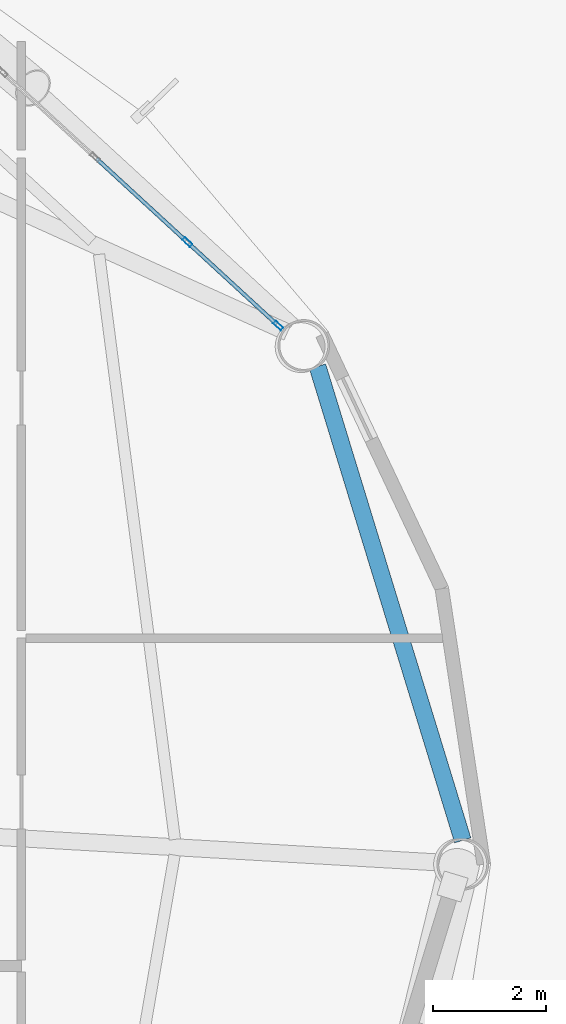
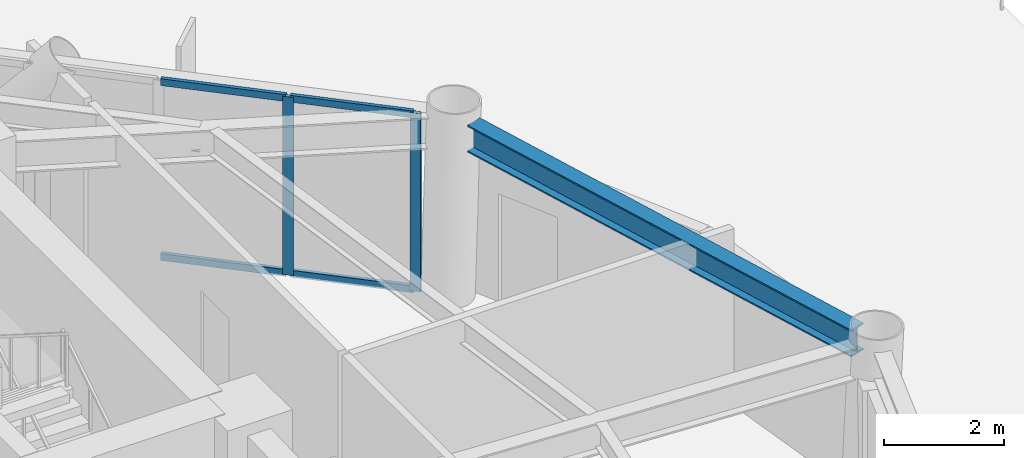
# One storey, part 14 of 24: 6 members, 1 beam, 1 element without a shape of its own.
"""IFC4 building model written with IfcOpenShell, lengths in metres."""

from ifc_helpers import new_model, si_unit, direction, frame, origin, origin_2d, place, context, subcontext, project, spatial, hollow_rectangle, i_section, extrude, material, layer, layer_set, material_profile, profile_set, type_object, element, aggregate, save


model = new_model("IFC4")

# Units and contexts
model_context = context("Model", 3, precision=1e-05, world=origin(), true_north=direction((0.0, 1.0)))
body_context = subcontext(model_context, "Body", "Model", "MODEL_VIEW")
ifc_project = project(units=[si_unit("LENGTHUNIT", "METRE"), si_unit("AREAUNIT", "SQUARE_METRE"), si_unit("VOLUMEUNIT", "CUBIC_METRE"), si_unit("PLANEANGLEUNIT", "RADIAN"), si_unit("MASSUNIT", "GRAM", prefix="KILO")], contexts=[model_context])

# Site, building, storey
site_placement = place(None, origin())
site = spatial("IfcSite", under=ifc_project, at=site_placement, CompositionType="ELEMENT")
building_placement = place(site_placement, origin())
building = spatial("IfcBuilding", under=site, at=building_placement, Name="Varnakorn Sky Granary", CompositionType="ELEMENT")
storey_placement = place(building_placement, frame((0.0, 0.0, 27.60009765625)))
storey = spatial("IfcBuildingStorey", under=building, at=storey_placement, Name="L06", CompositionType="ELEMENT", Elevation=27.60009765625)

# Beam
ifc_material_1 = material(Name="Steel S355JR", Category="steel")
ifc_material_profile_1 = material_profile(ifc_material_1, i_section(OverallWidth=0.300048828125, OverallDepth=0.550048828125, WebThickness=0.014892578125, FlangeThickness=0.029052734375, at=origin_2d()), Name="HE 550 B")
ifc_profile_set_1 = profile_set([ifc_material_profile_1], Name="Steel S355JR")
beam_type = type_object("IfcBeamType", Name="BM-SPD-Z1", PredefinedType="SPANDREL", material=ifc_profile_set_1)
beam_placement = place(storey_placement, frame((18.6083984375, 0.422607421875, 3.364990234375), z_axis=(-0.292941262757, 0.9561304391, 0.0), x_axis=(-0.9561304391, -0.292941262757, 0.0)))
element("IfcBeam", 1, at=beam_placement, inside=storey, type_object=beam_type, Name="Perimeter Spandrel Ring Beam RB01 L06", PredefinedType="SPANDREL", context=body_context, shape_type="SweptSolid", body=[
    extrude(i_section(OverallWidth=0.300048828125, OverallDepth=0.550048828125, WebThickness=0.014892578125, FlangeThickness=0.029052734375, at=origin_2d()), origin(), (0.0, 0.0, 1.0), 8.77001953125),
])

# Curtain wall, members
ifc_material_2 = material(Name="Anodised Bronze Aluminium Alloy 6063-T6", Category="aluminium")
ifc_layer = layer(ifc_material_2, 0.18994140625, Name="Anodised Bronze Aluminium Alloy 6063-T6")
ifc_layer_set = layer_set([ifc_layer], Name="Anodised Bronze Aluminium Alloy 6063-T6")
curtain_wall_type = type_object("IfcCurtainWallType", Name="CW-FRM-1", PredefinedType="USERDEFINED", material=ifc_layer_set)
curtain_wall_placement = place(storey_placement, origin())
curtain_wall = element("IfcCurtainWall", 2, at=curtain_wall_placement, inside=storey, type_object=curtain_wall_type, Name="Unitised Curtain Wall CW3 CW-L06-B02", ObjectType="CURTAIN WALL", PredefinedType="USERDEFINED")
ifc_material_profile_2 = material_profile(ifc_material_2, hollow_rectangle(XDim=0.070068359375, YDim=0.18505859375, WallThickness=0.00390625, at=origin_2d()), Name="ALU MULL 70x185")
ifc_profile_set_2 = profile_set([ifc_material_profile_2], Name="Anodised Bronze Aluminium Alloy 6063-T6")
member_type_1 = type_object("IfcMemberType", Name="CW-FRM-1-MULL", PredefinedType="MULLION", material=ifc_profile_set_2)
member_1_placement = place(storey_placement, frame((13.734375, 11.008544921875, 0.0), z_axis=(0.0, 0.0, 1.0), x_axis=(0.676914362354, 0.7360617814, 0.0)))
member_1 = element("IfcMember", 3, at=member_1_placement, type_object=member_type_1, Name="CW3 mullion 4", PredefinedType="MULLION", context=body_context, shape_type="SweptSolid", body=[
    extrude(hollow_rectangle(XDim=0.070068359375, YDim=0.18505859375, WallThickness=0.00390625, at=origin_2d()), origin(), (0.0, 0.0, 1.0), 3.639892578125),
])
member_2_placement = place(storey_placement, frame((15.340576171875, 9.53125, 0.0), z_axis=(0.0, 0.0, 1.0), x_axis=(0.676914362354, 0.7360617814, 0.0)))
member_2 = element("IfcMember", 4, at=member_2_placement, type_object=member_type_1, Name="CW3 mullion 5", PredefinedType="MULLION", context=body_context, shape_type="SweptSolid", body=[
    extrude(hollow_rectangle(XDim=0.070068359375, YDim=0.18505859375, WallThickness=0.00390625, at=origin_2d()), origin(), (0.0, 0.0, 1.0), 3.639892578125),
])
ifc_material_profile_3 = material_profile(ifc_material_2, hollow_rectangle(XDim=0.070068359375, YDim=0.139892578125, WallThickness=0.00341796875, at=origin_2d()), Name="ALU TRAN 70x140")
ifc_profile_set_3 = profile_set([ifc_material_profile_3], Name="Anodised Bronze Aluminium Alloy 6063-T6")
member_type_2 = type_object("IfcMemberType", Name="CW-FRM-1-TRAN", PredefinedType="USERDEFINED", material=ifc_profile_set_3)
member_3_placement = place(storey_placement, frame((12.1279296875, 12.485595703125, 0.034912109375), z_axis=(0.736105481164, -0.676866841114, 0.0), x_axis=(0.676866841114, 0.736105481164, 0.0)))
member_3 = element("IfcMember", 5, at=member_3_placement, type_object=member_type_2, Name="CW3 transom 3.1", ObjectType="TRANSOM", PredefinedType="USERDEFINED", context=body_context, shape_type="SweptSolid", body=[
    extrude(hollow_rectangle(XDim=0.070068359375, YDim=0.139892578125, WallThickness=0.00341796875, at=origin_2d()), origin(), (0.0, 0.0, 1.0), 2.147216796875),
])
member_4_placement = place(storey_placement, frame((12.1279296875, 12.485595703125, 3.60498046875), z_axis=(0.736105481164, -0.676866841114, 0.0), x_axis=(0.676866841114, 0.736105481164, 0.0)))
member_4 = element("IfcMember", 6, at=member_4_placement, type_object=member_type_2, Name="CW3 transom 3.2", ObjectType="TRANSOM", PredefinedType="USERDEFINED", context=body_context, shape_type="SweptSolid", body=[
    extrude(hollow_rectangle(XDim=0.070068359375, YDim=0.139892578125, WallThickness=0.00341796875, at=origin_2d()), origin(), (0.0, 0.0, 1.0), 2.147216796875),
])
member_5_placement = place(storey_placement, frame((13.760009765625, 10.98486328125, 0.034912109375), z_axis=(0.736073807105, -0.676901285635, 0.0), x_axis=(0.676901285635, 0.736073807105, 0.0)))
member_5 = element("IfcMember", 7, at=member_5_placement, type_object=member_type_2, Name="CW3 transom 4.1", ObjectType="TRANSOM", PredefinedType="USERDEFINED", context=body_context, shape_type="SweptSolid", body=[
    extrude(hollow_rectangle(XDim=0.070068359375, YDim=0.139892578125, WallThickness=0.00341796875, at=origin_2d()), origin(), (0.0, 0.0, 1.0), 2.112548828125),
])
member_6_placement = place(storey_placement, frame((13.760009765625, 10.98486328125, 3.60498046875), z_axis=(0.736073807105, -0.676901285635, 0.0), x_axis=(0.676901285635, 0.736073807105, 0.0)))
member_6 = element("IfcMember", 8, at=member_6_placement, type_object=member_type_2, Name="CW3 transom 4.2", ObjectType="TRANSOM", PredefinedType="USERDEFINED", context=body_context, shape_type="SweptSolid", body=[
    extrude(hollow_rectangle(XDim=0.070068359375, YDim=0.139892578125, WallThickness=0.00341796875, at=origin_2d()), origin(), (0.0, 0.0, 1.0), 2.112548828125),
])
aggregate(curtain_wall, [member_1, member_2, member_3, member_4, member_5, member_6])

save(model, "model.ifc")
